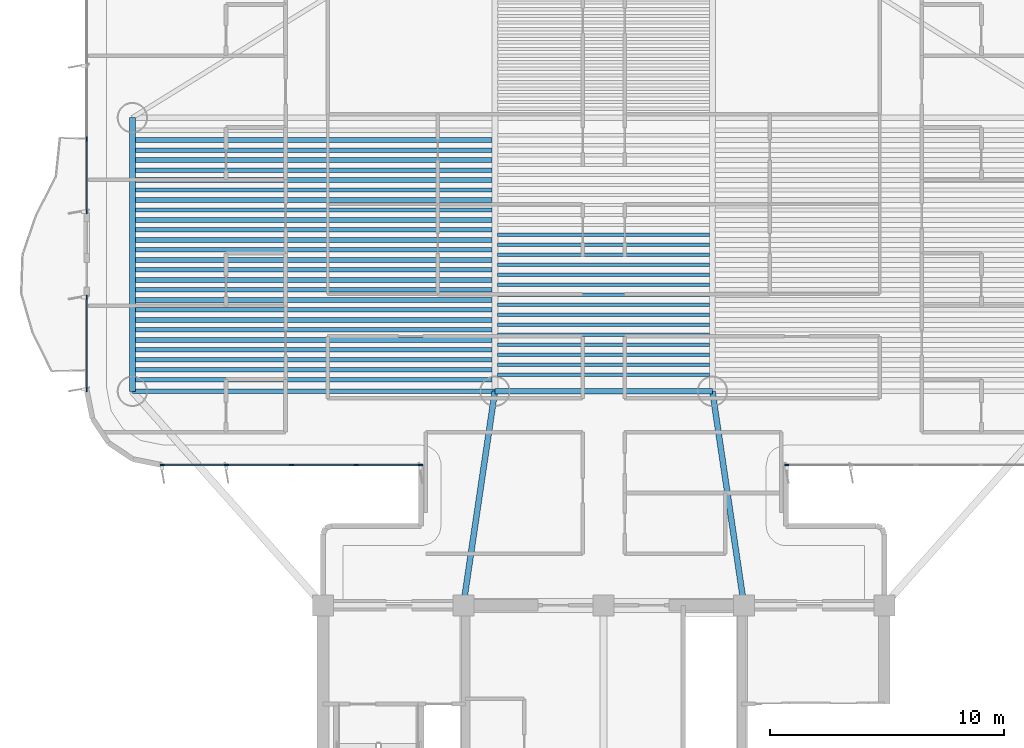
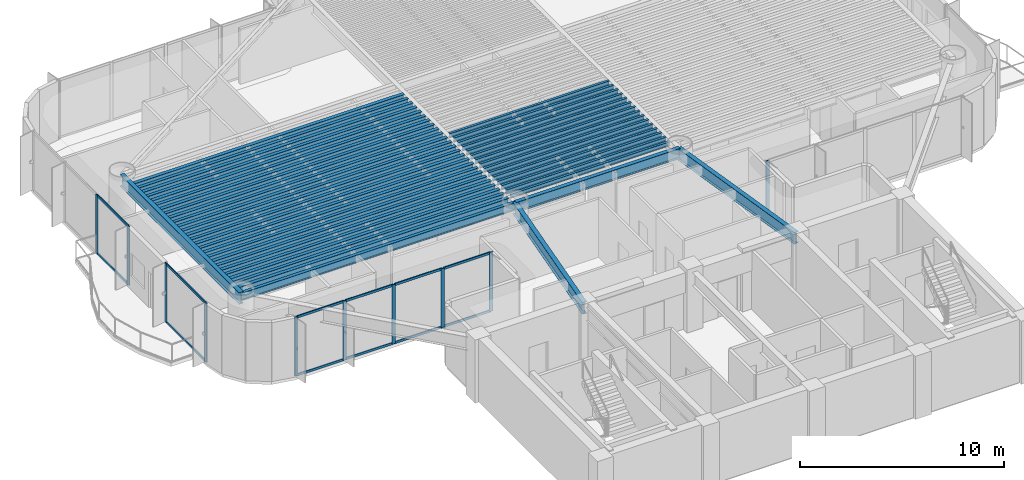
# One storey, part 2 of 17: 45 beams, 22 members, 4 elements without a shape of their own.
"""IFC4 building model written with IfcOpenShell, lengths in metres."""

from ifc_helpers import new_model, si_unit, direction, frame, origin, origin_2d, place, context, subcontext, project, spatial, rectangle, i_section, extrude, source, transform, mapped, material, layer, layer_set, material_profile, profile_set, type_object, element, aggregate, save


model = new_model("IFC4")

# Units and contexts
model_context = context("Model", 3, precision=1e-05, world=origin(), true_north=direction((0.0, 1.0)))
body_context = subcontext(model_context, "Body", "Model", "MODEL_VIEW")
ifc_project = project(units=[si_unit("LENGTHUNIT", "METRE"), si_unit("AREAUNIT", "SQUARE_METRE"), si_unit("VOLUMEUNIT", "CUBIC_METRE"), si_unit("PLANEANGLEUNIT", "RADIAN"), si_unit("MASSUNIT", "GRAM", prefix="KILO")], contexts=[model_context])

# Site, building, storey
site_placement = place(None, origin())
site = spatial("IfcSite", under=ifc_project, at=site_placement, CompositionType="ELEMENT")
building_placement = place(site_placement, origin())
building = spatial("IfcBuilding", under=site, at=building_placement, Name="Brelvock Crest Care Tower", CompositionType="ELEMENT")
storey_placement = place(building_placement, frame((0.0, 0.0, 135.179931640625)))
storey = spatial("IfcBuildingStorey", under=building, at=storey_placement, Name="L34", CompositionType="ELEMENT", Elevation=135.179931640625)

# Beams
ifc_material_1 = material(Name="Steel Grade 350", Category="steel")
ifc_material_profile_1 = material_profile(ifc_material_1, i_section(OverallWidth=0.22900390625, OverallDepth=0.612060546875, WebThickness=0.011962890625, FlangeThickness=0.01953125, FilletRadius=0.013916015625, at=origin_2d()), Name="610UB125")
ifc_profile_set_1 = profile_set([ifc_material_profile_1], Name="Steel Grade 350")
beam_type_1 = type_object("IfcBeamType", Name="BM-G1", PredefinedType="BEAM", material=ifc_profile_set_1)
shared_shape_1 = source(origin(), body_context, "Body", "SweptSolid", [
    extrude(i_section(OverallWidth=0.22900390625, OverallDepth=0.612060546875, WebThickness=0.011962890625, FlangeThickness=0.01953125, FilletRadius=0.013916015625, at=origin_2d()), origin(), (0.0, 0.0, 1.0), 9.2998046875),
])
beam_1_placement = place(storey_placement, frame((31.35009765625, 27.14990234375, 3.22412109375), z_axis=(1.0, 0.0, 0.0), x_axis=(0.0, 1.0, 0.0)))
element("IfcBeam", 1, at=beam_1_placement, inside=storey, type_object=beam_type_1, Name="BM-TWR-L34-05", PredefinedType="BEAM", context=body_context, shape_type="MappedRepresentation", body=[
    mapped(shared_shape_1, transform((0.0, 0.0, 0.0), x_axis=(1.0, 0.0, 0.0), y_axis=(0.0, 1.0, 0.0), z_axis=(0.0, 0.0, 1.0), scale=1.0)),
])
ifc_material_profile_2 = material_profile(ifc_material_1, i_section(OverallWidth=0.14599609375, OverallDepth=0.256103515625, WebThickness=0.00634765625, FlangeThickness=0.010986328125, FilletRadius=0.0087890625, at=origin_2d()), Name="250UB37.3")
ifc_profile_set_2 = profile_set([ifc_material_profile_2], Name="Steel Grade 350")
beam_type_2 = type_object("IfcBeamType", Name="BM-J3", PredefinedType="JOIST", material=ifc_profile_set_2)
shared_shape_2 = source(origin(), body_context, "Body", "SweptSolid", [
    extrude(i_section(OverallWidth=0.14599609375, OverallDepth=0.256103515625, WebThickness=0.00634765625, FlangeThickness=0.010986328125, FilletRadius=0.0087890625, at=origin_2d()), origin(), (0.0, 0.0, 1.0), 9.06982421875),
])
for number, where, z_axis, x_axis, name in (
    (2, (31.465087890625, 27.85498046875, 3.402099609375), (1.0, 0.0, 0.0), (0.0, 1.0, 0.0), "BM-JH-L34-1"),
    (3, (31.465087890625, 28.281982421875, 3.402099609375), (1.0, 0.0, 0.0), (0.0, 1.0, 0.0), "BM-JH-L34-2"),
    (4, (31.465087890625, 28.708984375, 3.402099609375), (1.0, 0.0, 0.0), (0.0, 1.0, 0.0), "BM-JH-L34-3"),
    (5, (31.465087890625, 29.135986328125, 3.402099609375), (1.0, 0.0, 0.0), (0.0, 1.0, 0.0), "BM-JH-L34-4"),
    (6, (31.465087890625, 29.56298828125, 3.402099609375), (1.0, 0.0, 0.0), (0.0, 1.0, 0.0), "BM-JH-L34-5"),
    (7, (31.465087890625, 29.990234375, 3.402099609375), (1.0, 0.0, 0.0), (0.0, 1.0, 0.0), "BM-JH-L34-6"),
    (8, (31.465087890625, 30.417236328125, 3.402099609375), (1.0, 0.0, 0.0), (0.0, 1.0, 0.0), "BM-JH-L34-7"),
    (9, (31.465087890625, 30.84423828125, 3.402099609375), (1.0, 0.0, 0.0), (0.0, 1.0, 0.0), "BM-JH-L34-8"),
    (10, (31.465087890625, 31.271240234375, 3.402099609375), (1.0, 0.0, 0.0), (0.0, 1.0, 0.0), "BM-JH-L34-9"),
    (11, (31.465087890625, 31.698486328125, 3.402099609375), (1.0, 0.0, 0.0), (0.0, 1.0, 0.0), "BM-JH-L34-10"),
    (12, (31.465087890625, 32.12548828125, 3.402099609375), (1.0, 0.0, 0.0), (0.0, 1.0, 0.0), "BM-JH-L34-11"),
    (13, (31.465087890625, 32.552490234375, 3.402099609375), (1.0, 0.0, 0.0), (0.0, 1.0, 0.0), "BM-JH-L34-12"),
    (14, (31.465087890625, 32.9794921875, 3.402099609375), (1.0, 0.0, 0.0), (0.0, 1.0, 0.0), "BM-JH-L34-13"),
    (15, (31.465087890625, 33.406494140625, 3.402099609375), (1.0, 0.0, 0.0), (0.0, 1.0, 0.0), "BM-JH-L34-14"),
    (16, (31.465087890625, 33.83349609375, 3.402099609375), (1.0, 0.0, 0.0), (0.0, 1.0, 0.0), "BM-JH-L34-15"),
):
    element("IfcBeam", number, at=place(storey_placement, frame(where, z_axis=z_axis, x_axis=x_axis)), inside=storey, type_object=beam_type_2, Name=name, PredefinedType="JOIST", context=body_context, shape_type="MappedRepresentation", body=[
        mapped(shared_shape_2, transform((0.0, 0.0, 0.0), x_axis=(1.0, 0.0, 0.0), y_axis=(0.0, 1.0, 0.0), z_axis=(0.0, 0.0, 1.0), scale=1.0)),
    ])
ifc_material_profile_3 = material_profile(ifc_material_1, i_section(OverallWidth=0.208984375, OverallDepth=0.532958984375, WebThickness=0.01025390625, FlangeThickness=0.015625, FilletRadius=0.013916015625, at=origin_2d()), Name="530UB92.4")
ifc_profile_set_3 = profile_set([ifc_material_profile_3], Name="Steel Grade 350")
beam_type_3 = type_object("IfcBeamType", Name="BM-G2", PredefinedType="BEAM", material=ifc_profile_set_3)
shared_shape_3 = source(origin(), body_context, "Body", "SweptSolid", [
    extrude(i_section(OverallWidth=0.208984375, OverallDepth=0.532958984375, WebThickness=0.01025390625, FlangeThickness=0.015625, FilletRadius=0.013916015625, at=origin_2d()), origin(), (0.0, 0.0, 1.0), 15.27001953125),
])
for number, where, z_axis, x_axis, name in (
    (17, (15.965087890625, 27.641357421875, 3.263671875), (1.0, 0.0, 0.0), (0.0, 1.0, 0.0), "BM-JW-L34-1"),
    (18, (15.965087890625, 28.49560546875, 3.263671875), (1.0, 0.0, 0.0), (0.0, 1.0, 0.0), "BM-JW-L34-3"),
    (19, (15.965087890625, 29.349609375, 3.263671875), (1.0, 0.0, 0.0), (0.0, 1.0, 0.0), "BM-JW-L34-5"),
    (20, (15.965087890625, 30.20361328125, 3.263671875), (1.0, 0.0, 0.0), (0.0, 1.0, 0.0), "BM-JW-L34-7"),
    (21, (15.965087890625, 31.057861328125, 3.263671875), (1.0, 0.0, 0.0), (0.0, 1.0, 0.0), "BM-JW-L34-9"),
    (22, (15.965087890625, 31.911865234375, 3.263671875), (1.0, 0.0, 0.0), (0.0, 1.0, 0.0), "BM-JW-L34-11"),
    (23, (15.965087890625, 32.76611328125, 3.263671875), (1.0, 0.0, 0.0), (0.0, 1.0, 0.0), "BM-JW-L34-13"),
    (24, (15.965087890625, 33.6201171875, 3.263671875), (1.0, 0.0, 0.0), (0.0, 1.0, 0.0), "BM-JW-L34-15"),
    (25, (15.965087890625, 34.47412109375, 3.263671875), (1.0, 0.0, 0.0), (0.0, 1.0, 0.0), "BM-JW-L34-17"),
    (26, (15.965087890625, 35.328369140625, 3.263671875), (1.0, 0.0, 0.0), (0.0, 1.0, 0.0), "BM-JW-L34-19"),
    (27, (15.965087890625, 36.182373046875, 3.263671875), (1.0, 0.0, 0.0), (0.0, 1.0, 0.0), "BM-JW-L34-21"),
    (28, (15.965087890625, 37.03662109375, 3.263671875), (1.0, 0.0, 0.0), (0.0, 1.0, 0.0), "BM-JW-L34-23"),
    (29, (15.965087890625, 37.890625, 3.263671875), (1.0, 0.0, 0.0), (0.0, 1.0, 0.0), "BM-JW-L34-25"),
):
    element("IfcBeam", number, at=place(storey_placement, frame(where, z_axis=z_axis, x_axis=x_axis)), inside=storey, type_object=beam_type_3, Name=name, PredefinedType="BEAM", context=body_context, shape_type="MappedRepresentation", body=[
        mapped(shared_shape_3, transform((0.0, 0.0, 0.0), x_axis=(1.0, 0.0, 0.0), y_axis=(0.0, 1.0, 0.0), z_axis=(0.0, 0.0, 1.0), scale=1.0)),
    ])
ifc_material_profile_4 = material_profile(ifc_material_1, i_section(OverallWidth=0.19091796875, OverallDepth=0.4599609375, WebThickness=0.010009765625, FlangeThickness=0.01611328125, FilletRadius=0.011474609375, at=origin_2d()), Name="460UB82.1")
ifc_profile_set_4 = profile_set([ifc_material_profile_4], Name="Steel Grade 350")
beam_type_4 = type_object("IfcBeamType", Name="BM-G3", PredefinedType="BEAM", material=ifc_profile_set_4)
shared_shape_4 = source(origin(), body_context, "Body", "SweptSolid", [
    extrude(i_section(OverallWidth=0.19091796875, OverallDepth=0.4599609375, WebThickness=0.010009765625, FlangeThickness=0.01611328125, FilletRadius=0.011474609375, at=origin_2d()), origin(), (0.0, 0.0, 1.0), 15.27001953125),
])
for number, where, z_axis, x_axis, name in (
    (30, (15.965087890625, 28.068359375, 3.300048828125), (1.0, 0.0, 0.0), (0.0, 1.0, 0.0), "BM-JW-L34-2"),
    (31, (15.965087890625, 28.922607421875, 3.300048828125), (1.0, 0.0, 0.0), (0.0, 1.0, 0.0), "BM-JW-L34-4"),
    (32, (15.965087890625, 29.776611328125, 3.300048828125), (1.0, 0.0, 0.0), (0.0, 1.0, 0.0), "BM-JW-L34-6"),
    (33, (15.965087890625, 30.630615234375, 3.300048828125), (1.0, 0.0, 0.0), (0.0, 1.0, 0.0), "BM-JW-L34-8"),
    (34, (15.965087890625, 31.48486328125, 3.300048828125), (1.0, 0.0, 0.0), (0.0, 1.0, 0.0), "BM-JW-L34-10"),
    (35, (15.965087890625, 32.3388671875, 3.300048828125), (1.0, 0.0, 0.0), (0.0, 1.0, 0.0), "BM-JW-L34-12"),
    (36, (15.965087890625, 33.193115234375, 3.300048828125), (1.0, 0.0, 0.0), (0.0, 1.0, 0.0), "BM-JW-L34-14"),
    (37, (15.965087890625, 34.047119140625, 3.300048828125), (1.0, 0.0, 0.0), (0.0, 1.0, 0.0), "BM-JW-L34-16"),
    (38, (15.965087890625, 34.901123046875, 3.300048828125), (1.0, 0.0, 0.0), (0.0, 1.0, 0.0), "BM-JW-L34-18"),
    (39, (15.965087890625, 35.75537109375, 3.300048828125), (1.0, 0.0, 0.0), (0.0, 1.0, 0.0), "BM-JW-L34-20"),
    (40, (15.965087890625, 36.609619140625, 3.300048828125), (1.0, 0.0, 0.0), (0.0, 1.0, 0.0), "BM-JW-L34-22"),
    (41, (15.965087890625, 37.46337890625, 3.300048828125), (1.0, 0.0, 0.0), (0.0, 1.0, 0.0), "BM-JW-L34-24"),
):
    element("IfcBeam", number, at=place(storey_placement, frame(where, z_axis=z_axis, x_axis=x_axis)), inside=storey, type_object=beam_type_4, Name=name, PredefinedType="BEAM", context=body_context, shape_type="MappedRepresentation", body=[
        mapped(shared_shape_4, transform((0.0, 0.0, 0.0), x_axis=(1.0, 0.0, 0.0), y_axis=(0.0, 1.0, 0.0), z_axis=(0.0, 0.0, 1.0), scale=1.0)),
    ])
ifc_material_profile_5 = material_profile(ifc_material_1, i_section(OverallWidth=0.25, OverallDepth=0.699951171875, WebThickness=0.011962890625, FlangeThickness=0.02001953125, at=origin_2d()), Name="700WB150")
ifc_profile_set_5 = profile_set([ifc_material_profile_5], Name="Steel Grade 350")
beam_type_5 = type_object("IfcBeamType", Name="BM-G4", PredefinedType="BEAM", material=ifc_profile_set_5)
shared_shape_5 = source(origin(), body_context, "Body", "SweptSolid", [
    extrude(i_section(OverallWidth=0.25, OverallDepth=0.699951171875, WebThickness=0.011962890625, FlangeThickness=0.02001953125, at=origin_2d()), origin(), (0.0, 0.0, 1.0), 11.7001953125),
])
beam_2_placement = place(storey_placement, frame((15.85009765625, 27.14990234375, 3.18017578125), z_axis=(0.0, 1.0, 0.0), x_axis=(-1.0, 0.0, 0.0)))
element("IfcBeam", 42, at=beam_2_placement, inside=storey, type_object=beam_type_5, Name="BM-TWR-L34-01", PredefinedType="BEAM", context=body_context, shape_type="MappedRepresentation", body=[
    mapped(shared_shape_5, transform((0.0, 0.0, 0.0), x_axis=(1.0, 0.0, 0.0), y_axis=(0.0, 1.0, 0.0), z_axis=(0.0, 0.0, 1.0), scale=1.0)),
])
ifc_material_profile_6 = material_profile(ifc_material_1, i_section(OverallWidth=0.19091796875, OverallDepth=0.4599609375, WebThickness=0.010009765625, FlangeThickness=0.01611328125, FilletRadius=0.011474609375, at=origin_2d()), Name="460UB82.1")
ifc_profile_set_6 = profile_set([ifc_material_profile_6], Name="Steel Grade 350")
beam_type_6 = type_object("IfcBeamType", Name="BM-SP2", PredefinedType="SPANDREL", material=ifc_profile_set_6)
shared_shape_6 = source(origin(), body_context, "Body", "SweptSolid", [
    extrude(i_section(OverallWidth=0.19091796875, OverallDepth=0.4599609375, WebThickness=0.010009765625, FlangeThickness=0.01611328125, FilletRadius=0.011474609375, at=origin_2d()), origin(), (0.0, 0.0, 1.0), 15.5),
])
beam_3_placement = place(storey_placement, frame((15.85009765625, 27.14990234375, 3.300048828125), z_axis=(1.0, 0.0, 0.0), x_axis=(0.0, 1.0, 0.0)))
element("IfcBeam", 43, at=beam_3_placement, inside=storey, type_object=beam_type_6, Name="BM-TWR-L34-03", PredefinedType="SPANDREL", context=body_context, shape_type="MappedRepresentation", body=[
    mapped(shared_shape_6, transform((0.0, 0.0, 0.0), x_axis=(1.0, 0.0, 0.0), y_axis=(0.0, 1.0, 0.0), z_axis=(0.0, 0.0, 1.0), scale=1.0)),
])
shared_shape_7 = source(origin(), body_context, "Body", "SweptSolid", [
    extrude(i_section(OverallWidth=0.25, OverallDepth=0.699951171875, WebThickness=0.011962890625, FlangeThickness=0.02001953125, at=origin_2d()), origin(), (0.0, 0.0, 1.0), 9.2490234375),
])
for number, where, z_axis, x_axis, name in (
    (44, (30.0, 18.0, 3.18017578125), (0.145972731602, 0.989288613918, 0.0), (-0.989288613918, 0.145972731602, 0.0), "BM-THRW-L34"),
    (45, (42.0, 18.0, 3.18017578125), (-0.145972731602, 0.989288613918, 0.0), (-0.989288613918, -0.145972731602, 0.0), "BM-THRE-L34"),
):
    element("IfcBeam", number, at=place(storey_placement, frame(where, z_axis=z_axis, x_axis=x_axis)), inside=storey, type_object=beam_type_5, Name=name, PredefinedType="BEAM", context=body_context, shape_type="MappedRepresentation", body=[
        mapped(shared_shape_7, transform((0.0, 0.0, 0.0), x_axis=(1.0, 0.0, 0.0), y_axis=(0.0, 1.0, 0.0), z_axis=(0.0, 0.0, 1.0), scale=1.0)),
    ])

# Curtain wall, members
ifc_material_2 = material(Name="Dark Glass Double Glazed Low-E", Category="glass")
ifc_layer = layer(ifc_material_2, 0.2099609375, Name="CWS-3")
ifc_layer_set = layer_set([ifc_layer], Name="Dark Glass Double Glazed Low-E")
curtain_wall_type = type_object("IfcCurtainWallType", Name="CWS-3", PredefinedType="NOTDEFINED", material=ifc_layer_set)
curtain_wall_1_placement = place(storey_placement, origin())
curtain_wall_1 = element("IfcCurtainWall", 46, at=curtain_wall_1_placement, inside=storey, type_object=curtain_wall_type, Name="L34 Curtain Wall E12", PredefinedType="NOTDEFINED")
ifc_material_3 = material(Name="Aluminium 6063-T6", Category="aluminium")
ifc_material_profile_7 = material_profile(ifc_material_3, rectangle(XDim=0.06005859375, YDim=0.179931640625, at=origin_2d()), Name="ALU60x180")
ifc_profile_set_7 = profile_set([ifc_material_profile_7], Name="Aluminium 6063-T6")
member_type_1 = type_object("IfcMemberType", Name="CWM-2", PredefinedType="MULLION", material=ifc_profile_set_7)
shared_shape_8 = source(origin(), body_context, "Body", "SweptSolid", [
    extrude(rectangle(XDim=0.06005859375, YDim=0.179931640625, at=origin_2d()), origin(), (0.0, 0.0, 1.0), 3.530029296875),
])
member_1_placement = place(storey_placement, frame((28.169921875, 24.0, 0.0), z_axis=(0.0, 0.0, 1.0), x_axis=(0.0, -1.0, 0.0)))
member_1 = element("IfcMember", 47, at=member_1_placement, type_object=member_type_1, Name="CW-3 mullion 1", PredefinedType="MULLION", context=body_context, shape_type="MappedRepresentation", body=[
    mapped(shared_shape_8, transform((0.0, 0.0, 0.0), x_axis=(1.0, 0.0, 0.0), y_axis=(0.0, 1.0, 0.0), z_axis=(0.0, 0.0, 1.0), scale=1.0)),
])
member_2_placement = place(storey_placement, frame((25.425048828125, 24.0, 0.0), z_axis=(0.0, 0.0, 1.0), x_axis=(0.0, -1.0, 0.0)))
member_2 = element("IfcMember", 48, at=member_2_placement, type_object=member_type_1, Name="CW-3 mullion 2", PredefinedType="MULLION", context=body_context, shape_type="MappedRepresentation", body=[
    mapped(shared_shape_8, transform((0.0, 0.0, 0.0), x_axis=(1.0, 0.0, 0.0), y_axis=(0.0, 1.0, 0.0), z_axis=(0.0, 0.0, 1.0), scale=1.0)),
])
member_3_placement = place(storey_placement, frame((22.64990234375, 24.0, 0.0), z_axis=(0.0, 0.0, 1.0), x_axis=(0.0, -1.0, 0.0)))
member_3 = element("IfcMember", 49, at=member_3_placement, type_object=member_type_1, Name="CW-3 mullion 3", PredefinedType="MULLION", context=body_context, shape_type="MappedRepresentation", body=[
    mapped(shared_shape_8, transform((0.0, 0.0, 0.0), x_axis=(1.0, 0.0, 0.0), y_axis=(0.0, 1.0, 0.0), z_axis=(0.0, 0.0, 1.0), scale=1.0)),
])
member_4_placement = place(storey_placement, frame((19.875, 24.0, 0.0), z_axis=(0.0, 0.0, 1.0), x_axis=(0.0, -1.0, 0.0)))
member_4 = element("IfcMember", 50, at=member_4_placement, type_object=member_type_1, Name="CW-3 mullion 4", PredefinedType="MULLION", context=body_context, shape_type="MappedRepresentation", body=[
    mapped(shared_shape_8, transform((0.0, 0.0, 0.0), x_axis=(1.0, 0.0, 0.0), y_axis=(0.0, 1.0, 0.0), z_axis=(0.0, 0.0, 1.0), scale=1.0)),
])
member_5_placement = place(storey_placement, frame((17.1298828125, 24.0, 0.0), z_axis=(0.0, 0.0, 1.0), x_axis=(0.0, -1.0, 0.0)))
member_5 = element("IfcMember", 51, at=member_5_placement, type_object=member_type_1, Name="CW-3 mullion 5", PredefinedType="MULLION", context=body_context, shape_type="MappedRepresentation", body=[
    mapped(shared_shape_8, transform((0.0, 0.0, 0.0), x_axis=(1.0, 0.0, 0.0), y_axis=(0.0, 1.0, 0.0), z_axis=(0.0, 0.0, 1.0), scale=1.0)),
])

curtain_wall_2_placement = place(storey_placement, origin())
curtain_wall_2 = element("IfcCurtainWall", 52, at=curtain_wall_2_placement, inside=storey, type_object=curtain_wall_type, Name="L34 Curtain Wall E17A", PredefinedType="NOTDEFINED")
member_6_placement = place(storey_placement, frame((13.89990234375, 27.22998046875, 0.0), z_axis=(0.0, 0.0, 1.0), x_axis=(-1.0, 0.0, 0.0)))
member_6 = element("IfcMember", 53, at=member_6_placement, type_object=member_type_1, Name="CW-3 mullion 1", PredefinedType="MULLION", context=body_context, shape_type="MappedRepresentation", body=[
    mapped(shared_shape_8, transform((0.0, 0.0, 0.0), x_axis=(1.0, 0.0, 0.0), y_axis=(0.0, 1.0, 0.0), z_axis=(0.0, 0.0, 1.0), scale=1.0)),
])
member_7_placement = place(storey_placement, frame((13.89990234375, 31.169921875, 0.0), z_axis=(0.0, 0.0, 1.0), x_axis=(-1.0, 0.0, 0.0)))
member_7 = element("IfcMember", 54, at=member_7_placement, type_object=member_type_1, Name="CW-3 mullion 2", PredefinedType="MULLION", context=body_context, shape_type="MappedRepresentation", body=[
    mapped(shared_shape_8, transform((0.0, 0.0, 0.0), x_axis=(1.0, 0.0, 0.0), y_axis=(0.0, 1.0, 0.0), z_axis=(0.0, 0.0, 1.0), scale=1.0)),
])

curtain_wall_3_placement = place(storey_placement, origin())
curtain_wall_3 = element("IfcCurtainWall", 55, at=curtain_wall_3_placement, inside=storey, type_object=curtain_wall_type, Name="L34 Curtain Wall E17B", PredefinedType="NOTDEFINED")
member_8_placement = place(storey_placement, frame((13.89990234375, 34.830078125, 0.0), z_axis=(0.0, 0.0, 1.0), x_axis=(-1.0, 0.0, 0.0)))
member_8 = element("IfcMember", 56, at=member_8_placement, type_object=member_type_1, Name="CW-3 mullion 1", PredefinedType="MULLION", context=body_context, shape_type="MappedRepresentation", body=[
    mapped(shared_shape_8, transform((0.0, 0.0, 0.0), x_axis=(1.0, 0.0, 0.0), y_axis=(0.0, 1.0, 0.0), z_axis=(0.0, 0.0, 1.0), scale=1.0)),
])
member_9_placement = place(storey_placement, frame((13.89990234375, 37.933349609375, 0.0), z_axis=(0.0, 0.0, 1.0), x_axis=(-1.0, 0.0, 0.0)))
member_9 = element("IfcMember", 57, at=member_9_placement, type_object=member_type_1, Name="CW-3 mullion 2", PredefinedType="MULLION", context=body_context, shape_type="MappedRepresentation", body=[
    mapped(shared_shape_8, transform((0.0, 0.0, 0.0), x_axis=(1.0, 0.0, 0.0), y_axis=(0.0, 1.0, 0.0), z_axis=(0.0, 0.0, 1.0), scale=1.0)),
])

# Curtain wall, member
curtain_wall_4_placement = place(storey_placement, origin())
curtain_wall_4 = element("IfcCurtainWall", 58, at=curtain_wall_4_placement, inside=storey, type_object=curtain_wall_type, Name="L34 Curtain Wall E44", PredefinedType="NOTDEFINED")
member_10_placement = place(storey_placement, frame((43.830078125, 24.0, 0.0), z_axis=(0.0, 0.0, 1.0), x_axis=(0.0, -1.0, 0.0)))
member_10 = element("IfcMember", 59, at=member_10_placement, type_object=member_type_1, Name="CW-3 mullion 5", PredefinedType="MULLION", context=body_context, shape_type="MappedRepresentation", body=[
    mapped(shared_shape_8, transform((0.0, 0.0, 0.0), x_axis=(1.0, 0.0, 0.0), y_axis=(0.0, 1.0, 0.0), z_axis=(0.0, 0.0, 1.0), scale=1.0)),
])
aggregate(curtain_wall_4, [member_10])

# Member
ifc_material_profile_8 = material_profile(ifc_material_3, rectangle(XDim=0.06005859375, YDim=0.139892578125, at=origin_2d()), Name="ALU60x140")
ifc_profile_set_8 = profile_set([ifc_material_profile_8], Name="Aluminium 6063-T6")
member_type_2 = type_object("IfcMemberType", Name="CWT-2", PredefinedType="USERDEFINED", material=ifc_profile_set_8)
shared_shape_9 = source(origin(), body_context, "Body", "SweptSolid", [
    extrude(rectangle(XDim=0.06005859375, YDim=0.139892578125, at=origin_2d()), origin(), (0.0, 0.0, 1.0), 2.684814453125),
])
member_11_placement = place(storey_placement, frame((28.139892578125, 24.0, 0.030029296875), z_axis=(-1.0, 0.0, 0.0), x_axis=(0.0, -1.0, 0.0)))
member_11 = element("IfcMember", 60, at=member_11_placement, type_object=member_type_2, Name="CW-3 transom 1.1", ObjectType="TRANSOM", PredefinedType="USERDEFINED", context=body_context, shape_type="MappedRepresentation", body=[
    mapped(shared_shape_9, transform((0.0, 0.0, 0.0), x_axis=(1.0, 0.0, 0.0), y_axis=(0.0, 1.0, 0.0), z_axis=(0.0, 0.0, 1.0), scale=1.0)),
])

member_12_placement = place(storey_placement, frame((28.139892578125, 24.0, 3.5), z_axis=(-1.0, 0.0, 0.0), x_axis=(0.0, -1.0, 0.0)))
member_12 = element("IfcMember", 61, at=member_12_placement, type_object=member_type_2, Name="CW-3 transom 1.2", ObjectType="TRANSOM", PredefinedType="USERDEFINED", context=body_context, shape_type="MappedRepresentation", body=[
    mapped(shared_shape_9, transform((0.0, 0.0, 0.0), x_axis=(1.0, 0.0, 0.0), y_axis=(0.0, 1.0, 0.0), z_axis=(0.0, 0.0, 1.0), scale=1.0)),
])

shared_shape_10 = source(origin(), body_context, "Body", "SweptSolid", [
    extrude(rectangle(XDim=0.06005859375, YDim=0.139892578125, at=origin_2d()), origin(), (0.0, 0.0, 1.0), 2.715087890625),
])
member_13_placement = place(storey_placement, frame((25.39501953125, 24.0, 0.030029296875), z_axis=(-1.0, 0.0, 0.0), x_axis=(0.0, -1.0, 0.0)))
member_13 = element("IfcMember", 62, at=member_13_placement, type_object=member_type_2, Name="CW-3 transom 2.1", ObjectType="TRANSOM", PredefinedType="USERDEFINED", context=body_context, shape_type="MappedRepresentation", body=[
    mapped(shared_shape_10, transform((0.0, 0.0, 0.0), x_axis=(1.0, 0.0, 0.0), y_axis=(0.0, 1.0, 0.0), z_axis=(0.0, 0.0, 1.0), scale=1.0)),
])

member_14_placement = place(storey_placement, frame((25.39501953125, 24.0, 3.5), z_axis=(-1.0, 0.0, 0.0), x_axis=(0.0, -1.0, 0.0)))
member_14 = element("IfcMember", 63, at=member_14_placement, type_object=member_type_2, Name="CW-3 transom 2.2", ObjectType="TRANSOM", PredefinedType="USERDEFINED", context=body_context, shape_type="MappedRepresentation", body=[
    mapped(shared_shape_10, transform((0.0, 0.0, 0.0), x_axis=(1.0, 0.0, 0.0), y_axis=(0.0, 1.0, 0.0), z_axis=(0.0, 0.0, 1.0), scale=1.0)),
])

member_15_placement = place(storey_placement, frame((22.6201171875, 24.0, 0.030029296875), z_axis=(-1.0, 0.0, 0.0), x_axis=(0.0, -1.0, 0.0)))
member_15 = element("IfcMember", 64, at=member_15_placement, type_object=member_type_2, Name="CW-3 transom 3.1", ObjectType="TRANSOM", PredefinedType="USERDEFINED", context=body_context, shape_type="MappedRepresentation", body=[
    mapped(shared_shape_10, transform((0.0, 0.0, 0.0), x_axis=(1.0, 0.0, 0.0), y_axis=(0.0, 1.0, 0.0), z_axis=(0.0, 0.0, 1.0), scale=1.0)),
])

member_16_placement = place(storey_placement, frame((22.6201171875, 24.0, 3.5), z_axis=(-1.0, 0.0, 0.0), x_axis=(0.0, -1.0, 0.0)))
member_16 = element("IfcMember", 65, at=member_16_placement, type_object=member_type_2, Name="CW-3 transom 3.2", ObjectType="TRANSOM", PredefinedType="USERDEFINED", context=body_context, shape_type="MappedRepresentation", body=[
    mapped(shared_shape_10, transform((0.0, 0.0, 0.0), x_axis=(1.0, 0.0, 0.0), y_axis=(0.0, 1.0, 0.0), z_axis=(0.0, 0.0, 1.0), scale=1.0)),
])

shared_shape_11 = source(origin(), body_context, "Body", "SweptSolid", [
    extrude(rectangle(XDim=0.06005859375, YDim=0.139892578125, at=origin_2d()), origin(), (0.0, 0.0, 1.0), 2.68505859375),
])
member_17_placement = place(storey_placement, frame((19.844970703125, 24.0, 0.030029296875), z_axis=(-1.0, 0.0, 0.0), x_axis=(0.0, -1.0, 0.0)))
member_17 = element("IfcMember", 66, at=member_17_placement, type_object=member_type_2, Name="CW-3 transom 4.1", ObjectType="TRANSOM", PredefinedType="USERDEFINED", context=body_context, shape_type="MappedRepresentation", body=[
    mapped(shared_shape_11, transform((0.0, 0.0, 0.0), x_axis=(1.0, 0.0, 0.0), y_axis=(0.0, 1.0, 0.0), z_axis=(0.0, 0.0, 1.0), scale=1.0)),
])

member_18_placement = place(storey_placement, frame((19.844970703125, 24.0, 3.5), z_axis=(-1.0, 0.0, 0.0), x_axis=(0.0, -1.0, 0.0)))
member_18 = element("IfcMember", 67, at=member_18_placement, type_object=member_type_2, Name="CW-3 transom 4.2", ObjectType="TRANSOM", PredefinedType="USERDEFINED", context=body_context, shape_type="MappedRepresentation", body=[
    mapped(shared_shape_11, transform((0.0, 0.0, 0.0), x_axis=(1.0, 0.0, 0.0), y_axis=(0.0, 1.0, 0.0), z_axis=(0.0, 0.0, 1.0), scale=1.0)),
])

aggregate(curtain_wall_1, [member_1, member_2, member_3, member_4, member_5, member_11, member_12, member_13, member_14, member_15, member_16, member_17, member_18])

shared_shape_12 = source(origin(), body_context, "Body", "SweptSolid", [
    extrude(rectangle(XDim=0.06005859375, YDim=0.139892578125, at=origin_2d()), origin(), (0.0, 0.0, 1.0), 3.8798828125),
])
member_19_placement = place(storey_placement, frame((13.89990234375, 27.260009765625, 0.030029296875), z_axis=(0.0, 1.0, 0.0), x_axis=(-1.0, 0.0, 0.0)))
member_19 = element("IfcMember", 68, at=member_19_placement, type_object=member_type_2, Name="CW-3 transom 1.1", ObjectType="TRANSOM", PredefinedType="USERDEFINED", context=body_context, shape_type="MappedRepresentation", body=[
    mapped(shared_shape_12, transform((0.0, 0.0, 0.0), x_axis=(1.0, 0.0, 0.0), y_axis=(0.0, 1.0, 0.0), z_axis=(0.0, 0.0, 1.0), scale=1.0)),
])

member_20_placement = place(storey_placement, frame((13.89990234375, 27.260009765625, 3.5), z_axis=(0.0, 1.0, 0.0), x_axis=(-1.0, 0.0, 0.0)))
member_20 = element("IfcMember", 69, at=member_20_placement, type_object=member_type_2, Name="CW-3 transom 1.2", ObjectType="TRANSOM", PredefinedType="USERDEFINED", context=body_context, shape_type="MappedRepresentation", body=[
    mapped(shared_shape_12, transform((0.0, 0.0, 0.0), x_axis=(1.0, 0.0, 0.0), y_axis=(0.0, 1.0, 0.0), z_axis=(0.0, 0.0, 1.0), scale=1.0)),
])

aggregate(curtain_wall_2, [member_6, member_7, member_19, member_20])

shared_shape_13 = source(origin(), body_context, "Body", "SweptSolid", [
    extrude(rectangle(XDim=0.06005859375, YDim=0.139892578125, at=origin_2d()), origin(), (0.0, 0.0, 1.0), 3.043212890625),
])
member_21_placement = place(storey_placement, frame((13.89990234375, 34.860107421875, 0.030029296875), z_axis=(0.0, 1.0, 0.0), x_axis=(-1.0, 0.0, 0.0)))
member_21 = element("IfcMember", 70, at=member_21_placement, type_object=member_type_2, Name="CW-3 transom 1.1", ObjectType="TRANSOM", PredefinedType="USERDEFINED", context=body_context, shape_type="MappedRepresentation", body=[
    mapped(shared_shape_13, transform((0.0, 0.0, 0.0), x_axis=(1.0, 0.0, 0.0), y_axis=(0.0, 1.0, 0.0), z_axis=(0.0, 0.0, 1.0), scale=1.0)),
])

member_22_placement = place(storey_placement, frame((13.89990234375, 34.860107421875, 3.5), z_axis=(0.0, 1.0, 0.0), x_axis=(-1.0, 0.0, 0.0)))
member_22 = element("IfcMember", 71, at=member_22_placement, type_object=member_type_2, Name="CW-3 transom 1.2", ObjectType="TRANSOM", PredefinedType="USERDEFINED", context=body_context, shape_type="MappedRepresentation", body=[
    mapped(shared_shape_13, transform((0.0, 0.0, 0.0), x_axis=(1.0, 0.0, 0.0), y_axis=(0.0, 1.0, 0.0), z_axis=(0.0, 0.0, 1.0), scale=1.0)),
])

aggregate(curtain_wall_3, [member_8, member_9, member_21, member_22])

save(model, "model.ifc")
